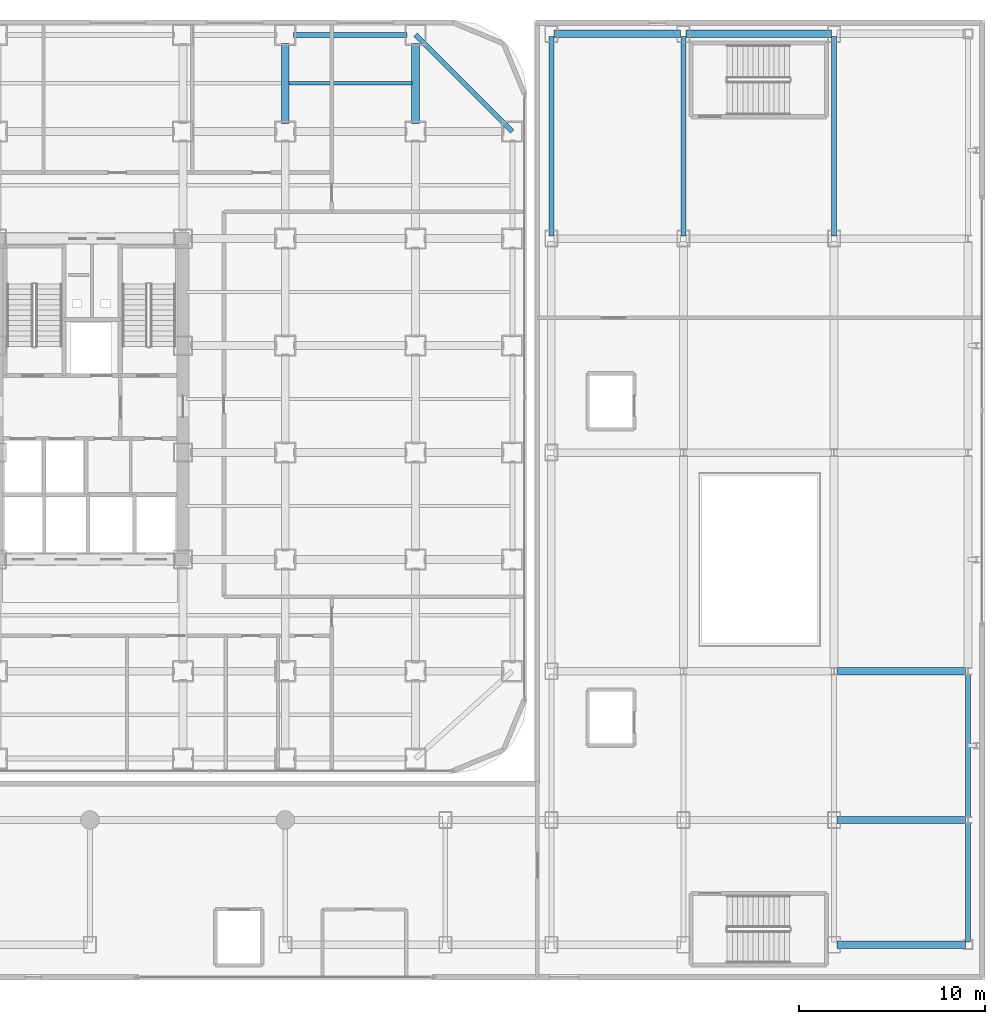
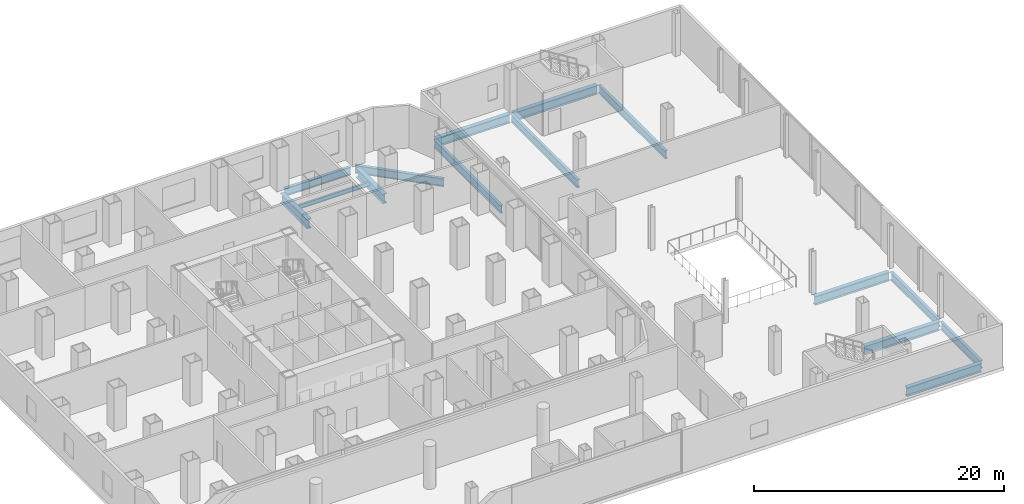
# One storey, part 15 of 27: 15 beams.
"""IFC4 building model written with IfcOpenShell, lengths in metres."""

from ifc_helpers import new_model, si_unit, direction, frame, origin, origin_2d, place, context, subcontext, project, spatial, i_section, extrude, source, transform, mapped, material, material_profile, profile_set, type_object, element, save


model = new_model("IFC4")

# Units and contexts
model_context = context("Model", 3, precision=1e-05, world=origin(), true_north=direction((0.0, 1.0)))
body_context = subcontext(model_context, "Body", "Model", "MODEL_VIEW")
ifc_project = project(units=[si_unit("LENGTHUNIT", "METRE"), si_unit("AREAUNIT", "SQUARE_METRE"), si_unit("VOLUMEUNIT", "CUBIC_METRE"), si_unit("PLANEANGLEUNIT", "RADIAN"), si_unit("MASSUNIT", "GRAM", prefix="KILO")], contexts=[model_context])

# Site, building, storey
site_placement = place(None, origin())
site = spatial("IfcSite", under=ifc_project, at=site_placement, CompositionType="ELEMENT")
building_placement = place(site_placement, origin())
building = spatial("IfcBuilding", under=site, at=building_placement, Name="Kolveth Station Tower", CompositionType="ELEMENT")
storey_placement = place(building_placement, frame((0.0, 0.0, 13.5)))
storey = spatial("IfcBuildingStorey", under=building, at=storey_placement, Name="L03", CompositionType="ELEMENT", Elevation=13.5)

# Beams
ifc_material = material(Name="Steel S355", Category="steel")
ifc_material_profile_1 = material_profile(ifc_material, i_section(OverallWidth=0.26904296875, OverallDepth=0.77490234375, WebThickness=0.01708984375, FlangeThickness=0.0283203125, at=origin_2d()), Name="W760x220")
ifc_profile_set_1 = profile_set([ifc_material_profile_1], Name="Steel S355")
beam_type_1 = type_object("IfcBeamType", Name="Beam_SP1", PredefinedType="SPANDREL", material=ifc_profile_set_1)
shared_shape_1 = source(origin(), body_context, "Body", "SweptSolid", [
    extrude(i_section(OverallWidth=0.26904296875, OverallDepth=0.77490234375, WebThickness=0.01708984375, FlangeThickness=0.0283203125, at=origin_2d()), origin(), (0.0, 0.0, 1.0), 6.10009765625),
])
beam_1_placement = place(storey_placement, frame((34.449951171875, 39.699951171875, -0.70751953125), z_axis=(1.0, 0.0, 0.0), x_axis=(0.0, 1.0, 0.0)))
element("IfcBeam", 1, at=beam_1_placement, inside=storey, type_object=beam_type_1, Name="L03 Perimeter Spandrel BM-L03-PN-5", PredefinedType="SPANDREL", context=body_context, shape_type="MappedRepresentation", body=[
    mapped(shared_shape_1, transform((0.0, 0.0, 0.0), x_axis=(1.0, 0.0, 0.0), y_axis=(0.0, 1.0, 0.0), z_axis=(0.0, 0.0, 1.0), scale=1.0)),
])
shared_shape_2 = source(origin(), body_context, "Body", "SweptSolid", [
    extrude(i_section(OverallWidth=0.26904296875, OverallDepth=0.77490234375, WebThickness=0.01708984375, FlangeThickness=0.0283203125, at=origin_2d()), origin(), (0.0, 0.0, 1.0), 7.353759765625),
])
beam_2_placement = place(storey_placement, frame((46.199951171875, 34.5, -0.70751953125), z_axis=(-0.707106781187, 0.707106781187, 0.0), x_axis=(-0.707106781187, -0.707106781187, 0.0)))
element("IfcBeam", 2, at=beam_2_placement, inside=storey, type_object=beam_type_1, Name="L03 Corner Edge Girder BM-L03-CNR-NE", PredefinedType="SPANDREL", context=body_context, shape_type="MappedRepresentation", body=[
    mapped(shared_shape_2, transform((0.0, 0.0, 0.0), x_axis=(1.0, 0.0, 0.0), y_axis=(0.0, 1.0, 0.0), z_axis=(0.0, 0.0, 1.0), scale=1.0)),
])
ifc_material_profile_2 = material_profile(ifc_material, i_section(OverallWidth=0.41796875, OverallDepth=0.912109375, WebThickness=0.019287109375, FlangeThickness=0.031982421875, at=origin_2d()), Name="W920x342")
ifc_profile_set_2 = profile_set([ifc_material_profile_2], Name="Steel S355")
beam_type_2 = type_object("IfcBeamType", Name="Beam_B1", PredefinedType="BEAM", material=ifc_profile_set_2)
shared_shape_3 = source(origin(), body_context, "Body", "SweptSolid", [
    extrude(i_section(OverallWidth=0.41796875, OverallDepth=0.912109375, WebThickness=0.019287109375, FlangeThickness=0.031982421875, at=origin_2d()), origin(), (0.0, 0.0, 1.0), 4.300048828125),
])
for number, where, z_axis, x_axis, name in (
    (3, (34.0, 34.949951171875, -0.77587890625), (0.0, 1.0, 0.0), (-1.0, 0.0, 0.0), "L03 Primary Girder BM-L03-GX340-7"),
    (4, (41.0, 34.949951171875, -0.77587890625), (0.0, 1.0, 0.0), (-1.0, 0.0, 0.0), "L03 Primary Girder BM-L03-GX410-7"),
):
    element("IfcBeam", number, at=place(storey_placement, frame(where, z_axis=z_axis, x_axis=x_axis)), inside=storey, type_object=beam_type_2, Name=name, PredefinedType="BEAM", context=body_context, shape_type="MappedRepresentation", body=[
        mapped(shared_shape_3, transform((0.0, 0.0, 0.0), x_axis=(1.0, 0.0, 0.0), y_axis=(0.0, 1.0, 0.0), z_axis=(0.0, 0.0, 1.0), scale=1.0)),
    ])
ifc_material_profile_3 = material_profile(ifc_material, i_section(OverallWidth=0.177978515625, OverallDepth=0.406982421875, WebThickness=0.0078125, FlangeThickness=0.0126953125, at=origin_2d()), Name="W410x60")
ifc_profile_set_3 = profile_set([ifc_material_profile_3], Name="Steel S355")
beam_type_3 = type_object("IfcBeamType", Name="Beam_J1", PredefinedType="JOIST", material=ifc_profile_set_3)
shared_shape_4 = source(origin(), body_context, "Body", "SweptSolid", [
    extrude(i_section(OverallWidth=0.177978515625, OverallDepth=0.406982421875, WebThickness=0.0078125, FlangeThickness=0.0126953125, at=origin_2d()), origin(), (0.0, 0.0, 1.0), 6.60986328125),
])
beam_3_placement = place(storey_placement, frame((34.195068359375, 37.10009765625, -0.5234375), z_axis=(1.0, 0.0, 0.0), x_axis=(0.0, 1.0, 0.0)))
element("IfcBeam", 5, at=beam_3_placement, inside=storey, type_object=beam_type_3, Name="L03 Secondary Joist JST-L03-6-7", PredefinedType="JOIST", context=body_context, shape_type="MappedRepresentation", body=[
    mapped(shared_shape_4, transform((0.0, 0.0, 0.0), x_axis=(1.0, 0.0, 0.0), y_axis=(0.0, 1.0, 0.0), z_axis=(0.0, 0.0, 1.0), scale=1.0)),
])
ifc_material_profile_4 = material_profile(ifc_material, i_section(OverallWidth=0.40087890625, OverallDepth=0.85107421875, WebThickness=0.01611328125, FlangeThickness=0.025390625, at=origin_2d()), Name="W840x226")
ifc_profile_set_4 = profile_set([ifc_material_profile_4], Name="Steel S355")
beam_type_4 = type_object("IfcBeamType", Name="Beam_B2", PredefinedType="BEAM", material=ifc_profile_set_4)
shared_shape_5 = source(origin(), body_context, "Body", "SweptSolid", [
    extrude(i_section(OverallWidth=0.40087890625, OverallDepth=0.85107421875, WebThickness=0.01611328125, FlangeThickness=0.025390625, at=origin_2d()), origin(), (0.0, 0.0, 1.0), 6.800048828125),
])
beam_4_placement = place(storey_placement, frame((48.449951171875, 39.75, -0.74560546875), z_axis=(1.0, 0.0, 0.0), x_axis=(0.0, 1.0, 0.0)))
element("IfcBeam", 6, at=beam_4_placement, inside=storey, type_object=beam_type_4, Name="L03 Station Portal Girder SBM-L03-EW-6-1", PredefinedType="BEAM", context=body_context, shape_type="MappedRepresentation", body=[
    mapped(shared_shape_5, transform((0.0, 0.0, 0.0), x_axis=(1.0, 0.0, 0.0), y_axis=(0.0, 1.0, 0.0), z_axis=(0.0, 0.0, 1.0), scale=1.0)),
])
shared_shape_6 = source(origin(), body_context, "Body", "SweptSolid", [
    extrude(i_section(OverallWidth=0.40087890625, OverallDepth=0.85107421875, WebThickness=0.01611328125, FlangeThickness=0.025390625, at=origin_2d()), origin(), (0.0, 0.0, 1.0), 6.900146484375),
])
for number, where, z_axis, x_axis, name in (
    (7, (63.64990234375, -9.199951171875, -0.74560546875), (1.0, 0.0, 0.0), (0.0, 1.0, 0.0), "L03 Station Portal Girder SBM-L03-EW-1-3"),
    (8, (63.64990234375, -2.5, -0.74560546875), (1.0, 0.0, 0.0), (0.0, 1.0, 0.0), "L03 Station Portal Girder SBM-L03-EW-2-3"),
    (9, (63.64990234375, 5.5, -0.74560546875), (1.0, 0.0, 0.0), (0.0, 1.0, 0.0), "L03 Station Portal Girder SBM-L03-EW-3-3"),
):
    element("IfcBeam", number, at=place(storey_placement, frame(where, z_axis=z_axis, x_axis=x_axis)), inside=storey, type_object=beam_type_4, Name=name, PredefinedType="BEAM", context=body_context, shape_type="MappedRepresentation", body=[
        mapped(shared_shape_6, transform((0.0, 0.0, 0.0), x_axis=(1.0, 0.0, 0.0), y_axis=(0.0, 1.0, 0.0), z_axis=(0.0, 0.0, 1.0), scale=1.0)),
    ])
shared_shape_7 = source(origin(), body_context, "Body", "SweptSolid", [
    extrude(i_section(OverallWidth=0.40087890625, OverallDepth=0.85107421875, WebThickness=0.01611328125, FlangeThickness=0.025390625, at=origin_2d()), origin(), (0.0, 0.0, 1.0), 7.800048828125),
])
beam_5_placement = place(storey_placement, frame((55.550048828125, 39.75, -0.74560546875), z_axis=(1.0, 0.0, 0.0), x_axis=(0.0, 1.0, 0.0)))
element("IfcBeam", 10, at=beam_5_placement, inside=storey, type_object=beam_type_4, Name="L03 Station Portal Girder SBM-L03-EW-6-2", PredefinedType="BEAM", context=body_context, shape_type="MappedRepresentation", body=[
    mapped(shared_shape_7, transform((0.0, 0.0, 0.0), x_axis=(1.0, 0.0, 0.0), y_axis=(0.0, 1.0, 0.0), z_axis=(0.0, 0.0, 1.0), scale=1.0)),
])
ifc_material_profile_5 = material_profile(ifc_material, i_section(OverallWidth=0.26708984375, OverallDepth=0.76611328125, WebThickness=0.014892578125, FlangeThickness=0.023681640625, at=origin_2d()), Name="W760x185")
ifc_profile_set_5 = profile_set([ifc_material_profile_5], Name="Steel S355")
beam_type_5 = type_object("IfcBeamType", Name="Beam_B3", PredefinedType="BEAM", material=ifc_profile_set_5)
shared_shape_8 = source(origin(), body_context, "Body", "SweptSolid", [
    extrude(i_section(OverallWidth=0.26708984375, OverallDepth=0.76611328125, WebThickness=0.014892578125, FlangeThickness=0.023681640625, at=origin_2d()), origin(), (0.0, 0.0, 1.0), 6.400146484375),
])
beam_6_placement = place(storey_placement, frame((70.699951171875, -9.050048828125, -0.702880859375), z_axis=(0.0, 1.0, 0.0), x_axis=(-1.0, 0.0, 0.0)))
element("IfcBeam", 11, at=beam_6_placement, inside=storey, type_object=beam_type_5, Name="L03 Station Spine Girder SBM-L03-NS-4-1", PredefinedType="BEAM", context=body_context, shape_type="MappedRepresentation", body=[
    mapped(shared_shape_8, transform((0.0, 0.0, 0.0), x_axis=(1.0, 0.0, 0.0), y_axis=(0.0, 1.0, 0.0), z_axis=(0.0, 0.0, 1.0), scale=1.0)),
])
shared_shape_9 = source(origin(), body_context, "Body", "SweptSolid", [
    extrude(i_section(OverallWidth=0.26708984375, OverallDepth=0.76611328125, WebThickness=0.014892578125, FlangeThickness=0.023681640625, at=origin_2d()), origin(), (0.0, 0.0, 1.0), 7.7001953125),
])
beam_7_placement = place(storey_placement, frame((70.699951171875, -2.35009765625, -0.702880859375), z_axis=(0.0, 1.0, 0.0), x_axis=(-1.0, 0.0, 0.0)))
element("IfcBeam", 12, at=beam_7_placement, inside=storey, type_object=beam_type_5, Name="L03 Station Spine Girder SBM-L03-NS-4-2", PredefinedType="BEAM", context=body_context, shape_type="MappedRepresentation", body=[
    mapped(shared_shape_9, transform((0.0, 0.0, 0.0), x_axis=(1.0, 0.0, 0.0), y_axis=(0.0, 1.0, 0.0), z_axis=(0.0, 0.0, 1.0), scale=1.0)),
])
shared_shape_10 = source(origin(), body_context, "Body", "SweptSolid", [
    extrude(i_section(OverallWidth=0.26708984375, OverallDepth=0.76611328125, WebThickness=0.014892578125, FlangeThickness=0.023681640625, at=origin_2d()), origin(), (0.0, 0.0, 1.0), 10.7001953125),
])
for number, where, z_axis, x_axis, name in (
    (13, (48.300048828125, 28.89990234375, -0.702880859375), (0.0, 1.0, 0.0), (-1.0, 0.0, 0.0), "L03 Station Spine Girder SBM-L03-NS-1-5"),
    (14, (55.39990234375, 28.89990234375, -0.702880859375), (0.0, 1.0, 0.0), (-1.0, 0.0, 0.0), "L03 Station Spine Girder SBM-L03-NS-2-5"),
    (15, (63.5, 28.89990234375, -0.702880859375), (0.0, 1.0, 0.0), (-1.0, 0.0, 0.0), "L03 Station Spine Girder SBM-L03-NS-3-5"),
):
    element("IfcBeam", number, at=place(storey_placement, frame(where, z_axis=z_axis, x_axis=x_axis)), inside=storey, type_object=beam_type_5, Name=name, PredefinedType="BEAM", context=body_context, shape_type="MappedRepresentation", body=[
        mapped(shared_shape_10, transform((0.0, 0.0, 0.0), x_axis=(1.0, 0.0, 0.0), y_axis=(0.0, 1.0, 0.0), z_axis=(0.0, 0.0, 1.0), scale=1.0)),
    ])

save(model, "model.ifc")
